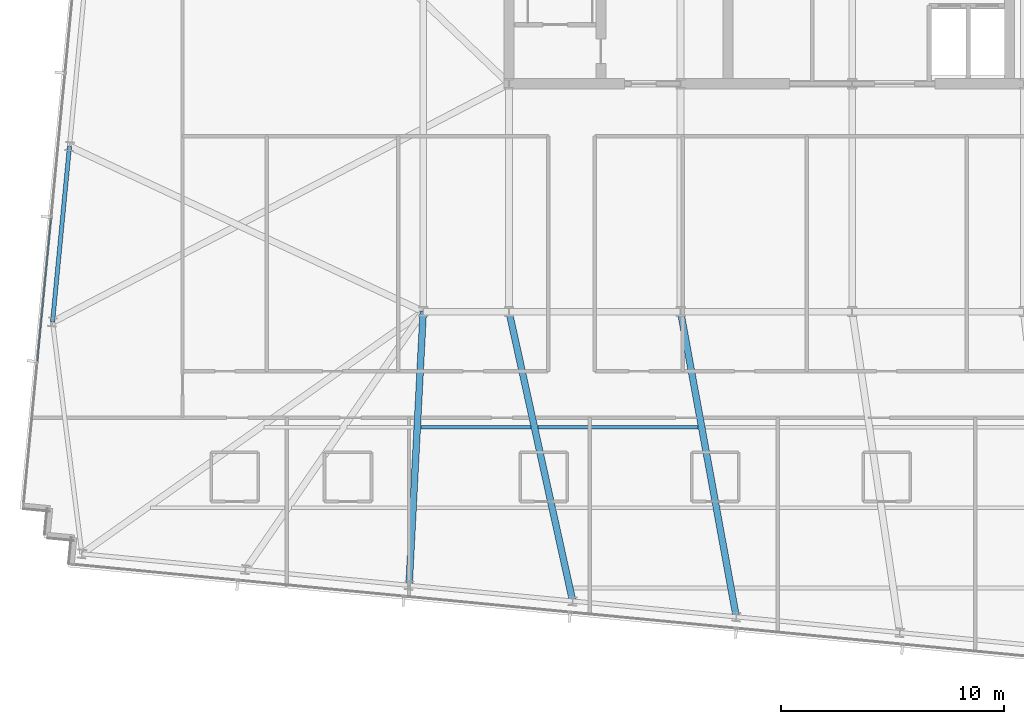
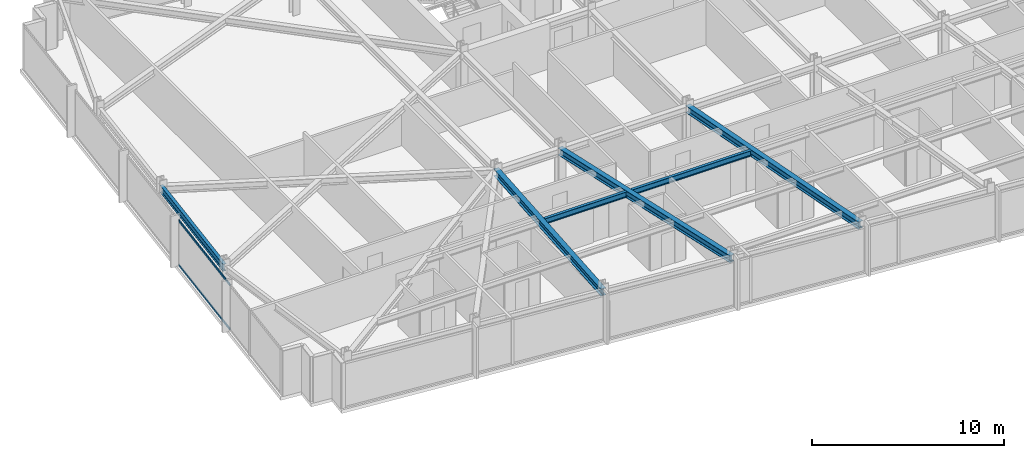
# One storey, part 7 of 37: 6 beams, 2 members, 1 element without a shape of its own.
"""IFC4 building model written with IfcOpenShell, lengths in metres."""

from ifc_helpers import new_model, si_unit, direction, frame, origin, origin_2d, place, context, subcontext, project, spatial, hollow_rectangle, i_section, extrude, material, material_profile, profile_set, type_object, element, aggregate, save


model = new_model("IFC4")

# Units and contexts
model_context = context("Model", 3, precision=1e-05, world=origin(), true_north=direction((0.0, 1.0)))
body_context = subcontext(model_context, "Body", "Model", "MODEL_VIEW")
ifc_project = project(units=[si_unit("LENGTHUNIT", "METRE"), si_unit("AREAUNIT", "SQUARE_METRE"), si_unit("VOLUMEUNIT", "CUBIC_METRE"), si_unit("PLANEANGLEUNIT", "RADIAN"), si_unit("MASSUNIT", "GRAM", prefix="KILO")], contexts=[model_context])

# Site, building, storey
site_placement = place(None, origin())
site = spatial("IfcSite", under=ifc_project, at=site_placement, CompositionType="ELEMENT")
building_placement = place(site_placement, origin())
building = spatial("IfcBuilding", under=site, at=building_placement, Name="Yelkora Congress Tower", CompositionType="ELEMENT")
storey_placement = place(building_placement, frame((0.0, 0.0, 188.60009765625)))
storey = spatial("IfcBuildingStorey", under=building, at=storey_placement, Name="L52", CompositionType="ELEMENT", Elevation=188.60009765625)

# Beams
ifc_material_1 = material(Name="Steel S355J2", Category="steel")
ifc_material_profile_1 = material_profile(ifc_material_1, i_section(OverallWidth=0.300048828125, OverallDepth=0.449951171875, WebThickness=0.013916015625, FlangeThickness=0.02587890625, FilletRadius=0.027099609375, at=origin_2d()), Name="HEB 450")
ifc_profile_set_1 = profile_set([ifc_material_profile_1], Name="Steel S355J2")
beam_type_1 = type_object("IfcBeamType", Name="BM-GIRD-HEB450", PredefinedType="BEAM", material=ifc_profile_set_1)
beam_1_placement = place(storey_placement, frame((18.56591796875, 12.947021484375, 2.65478515625), z_axis=(0.051676299428, 0.99866388744, 0.0), x_axis=(-0.99866388744, 0.051676299428, 0.0)))
element("IfcBeam", 1, at=beam_1_placement, inside=storey, type_object=beam_type_1, Name="L52 Primary Frame Girder S03", PredefinedType="BEAM", context=body_context, shape_type="SweptSolid", body=[
    extrude(i_section(OverallWidth=0.300048828125, OverallDepth=0.449951171875, WebThickness=0.013916015625, FlangeThickness=0.02587890625, FilletRadius=0.027099609375, at=origin_2d()), origin(), (0.0, 0.0, 1.0), 12.269287109375),
])
beam_2_placement = place(storey_placement, frame((25.888916015625, 12.24169921875, 2.65478515625), z_axis=(-0.214722420774, 0.976675115899, 0.0), x_axis=(-0.976675115899, -0.214722420774, 0.0)))
element("IfcBeam", 2, at=beam_2_placement, inside=storey, type_object=beam_type_1, Name="L52 Primary Frame Girder S04", PredefinedType="BEAM", context=body_context, shape_type="SweptSolid", body=[
    extrude(i_section(OverallWidth=0.300048828125, OverallDepth=0.449951171875, WebThickness=0.013916015625, FlangeThickness=0.02587890625, FilletRadius=0.027099609375, at=origin_2d()), origin(), (0.0, 0.0, 1.0), 13.267822265625),
])
beam_3_placement = place(storey_placement, frame((33.21240234375, 11.53662109375, 2.65478515625), z_axis=(-0.179456208566, 0.983765962619, 0.0), x_axis=(-0.983765962619, -0.179456208566, 0.0)))
element("IfcBeam", 3, at=beam_3_placement, inside=storey, type_object=beam_type_1, Name="L52 Primary Frame Girder S05", PredefinedType="BEAM", context=body_context, shape_type="SweptSolid", body=[
    extrude(i_section(OverallWidth=0.300048828125, OverallDepth=0.449951171875, WebThickness=0.013916015625, FlangeThickness=0.02587890625, FilletRadius=0.027099609375, at=origin_2d()), origin(), (0.0, 0.0, 1.0), 13.888916015625),
])
ifc_material_profile_2 = material_profile(ifc_material_1, i_section(OverallWidth=0.169921875, OverallDepth=0.360107421875, WebThickness=0.008056640625, FlangeThickness=0.0126953125, FilletRadius=0.01806640625, at=origin_2d()), Name="IPE 360")
ifc_profile_set_2 = profile_set([ifc_material_profile_2], Name="Steel S355J2")
beam_type_2 = type_object("IfcBeamType", Name="BM-JOIST-IPE360", PredefinedType="JOIST", material=ifc_profile_set_2)
beam_4_placement = place(storey_placement, frame((19.092041015625, 20.021240234375, 2.699951171875), z_axis=(1.0, 0.0, 0.0), x_axis=(0.0, 1.0, 0.0)))
element("IfcBeam", 4, at=beam_4_placement, inside=storey, type_object=beam_type_2, Name="L52 Composite Floor Joist 14", PredefinedType="JOIST", context=body_context, shape_type="SweptSolid", body=[
    extrude(i_section(OverallWidth=0.169921875, OverallDepth=0.360107421875, WebThickness=0.008056640625, FlangeThickness=0.0126953125, FilletRadius=0.01806640625, at=origin_2d()), origin(), (0.0, 0.0, 1.0), 4.926513671875),
])
beam_5_placement = place(storey_placement, frame((24.338623046875, 20.021240234375, 2.699951171875), z_axis=(1.0, 0.0, 0.0), x_axis=(0.0, 1.0, 0.0)))
element("IfcBeam", 5, at=beam_5_placement, inside=storey, type_object=beam_type_2, Name="L52 Composite Floor Joist 15", PredefinedType="JOIST", context=body_context, shape_type="SweptSolid", body=[
    extrude(i_section(OverallWidth=0.169921875, OverallDepth=0.360107421875, WebThickness=0.008056640625, FlangeThickness=0.0126953125, FilletRadius=0.01806640625, at=origin_2d()), origin(), (0.0, 0.0, 1.0), 7.166015625),
])
ifc_material_profile_3 = material_profile(ifc_material_1, i_section(OverallWidth=0.18994140625, OverallDepth=0.449951171875, WebThickness=0.009521484375, FlangeThickness=0.0146484375, FilletRadius=0.02099609375, at=origin_2d()), Name="IPE 450")
ifc_profile_set_3 = profile_set([ifc_material_profile_3], Name="Steel S355J2")
beam_type_3 = type_object("IfcBeamType", Name="BM-SPAN-IPE450", PredefinedType="SPANDREL", material=ifc_profile_set_3)
beam_6_placement = place(storey_placement, frame((3.364501953125, 32.594482421875, 2.65478515625), z_axis=(-0.095831353931, -0.995397584689, 0.0), x_axis=(0.995397584689, -0.095831353931, 0.0)))
element("IfcBeam", 6, at=beam_6_placement, inside=storey, type_object=beam_type_3, Name="L52 Perimeter Beam 18", PredefinedType="SPANDREL", context=body_context, shape_type="SweptSolid", body=[
    extrude(i_section(OverallWidth=0.18994140625, OverallDepth=0.449951171875, WebThickness=0.009521484375, FlangeThickness=0.0146484375, FilletRadius=0.02099609375, at=origin_2d()), origin(), (0.0, 0.0, 1.0), 7.900146484375),
])

# Curtain wall, members
ifc_material_2 = material(Name="Anodised aluminium and insulated glass", Category="aluminium")
curtain_wall_type = type_object("IfcCurtainWallType", Name="CW-SYS-B3", PredefinedType="NOTDEFINED", material=ifc_material_2)
curtain_wall_placement = place(storey_placement, origin())
curtain_wall = element("IfcCurtainWall", 7, at=curtain_wall_placement, inside=storey, type_object=curtain_wall_type, Name="L52 Unitised Curtain Wall 5", PredefinedType="NOTDEFINED")
ifc_material_3 = material(Name="Anodised aluminium 6063-T6", Category="aluminium")
ifc_material_profile_4 = material_profile(ifc_material_3, hollow_rectangle(XDim=0.06005859375, YDim=0.1298828125, WallThickness=0.00390625, at=origin_2d()), Name="ALU 60x130x4")
ifc_profile_set_4 = profile_set([ifc_material_profile_4], Name="Anodised aluminium 6063-T6")
member_type = type_object("IfcMemberType", Name="MEM-TR-B3", PredefinedType="USERDEFINED", material=ifc_profile_set_4)
member_1_placement = place(storey_placement, frame((1.92822265625, 22.996826171875, 0.02978515625), z_axis=(0.095843682057, 0.995396397728, 0.0), x_axis=(-0.995396397728, 0.095843682057, 0.0)))
member_1 = element("IfcMember", 8, at=member_1_placement, type_object=member_type, Name="CW-B3 transom 2.1", ObjectType="TRANSOM", PredefinedType="USERDEFINED", context=body_context, shape_type="SweptSolid", body=[
    extrude(hollow_rectangle(XDim=0.06005859375, YDim=0.1298828125, WallThickness=0.00390625, at=origin_2d()), origin(), (0.0, 0.0, 1.0), 6.4140625),
])
member_2_placement = place(storey_placement, frame((1.92822265625, 22.996826171875, 2.849853515625), z_axis=(0.095843682057, 0.995396397728, 0.0), x_axis=(-0.995396397728, 0.095843682057, 0.0)))
member_2 = element("IfcMember", 9, at=member_2_placement, type_object=member_type, Name="CW-B3 transom 2.2", ObjectType="TRANSOM", PredefinedType="USERDEFINED", context=body_context, shape_type="SweptSolid", body=[
    extrude(hollow_rectangle(XDim=0.06005859375, YDim=0.1298828125, WallThickness=0.00390625, at=origin_2d()), origin(), (0.0, 0.0, 1.0), 6.4140625),
])
aggregate(curtain_wall, [member_1, member_2])

save(model, "model.ifc")
